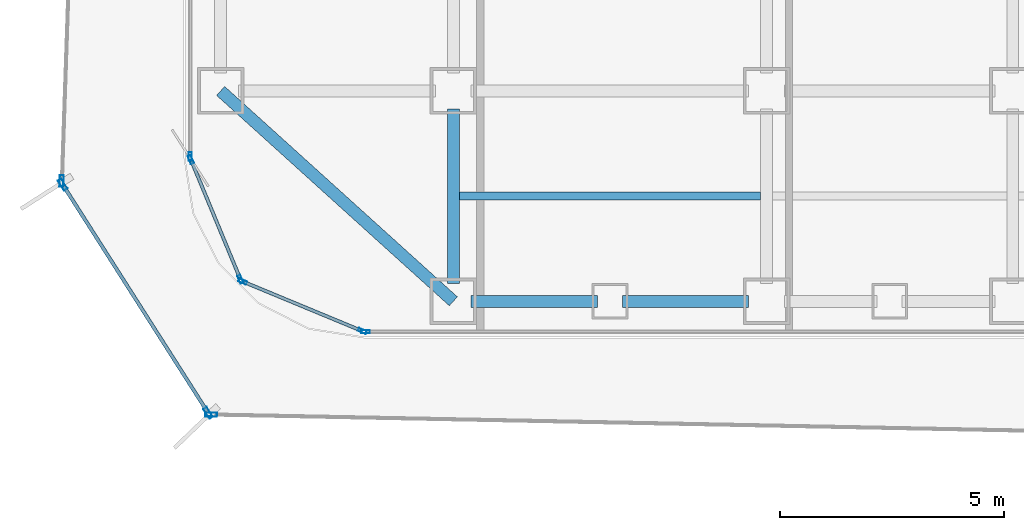
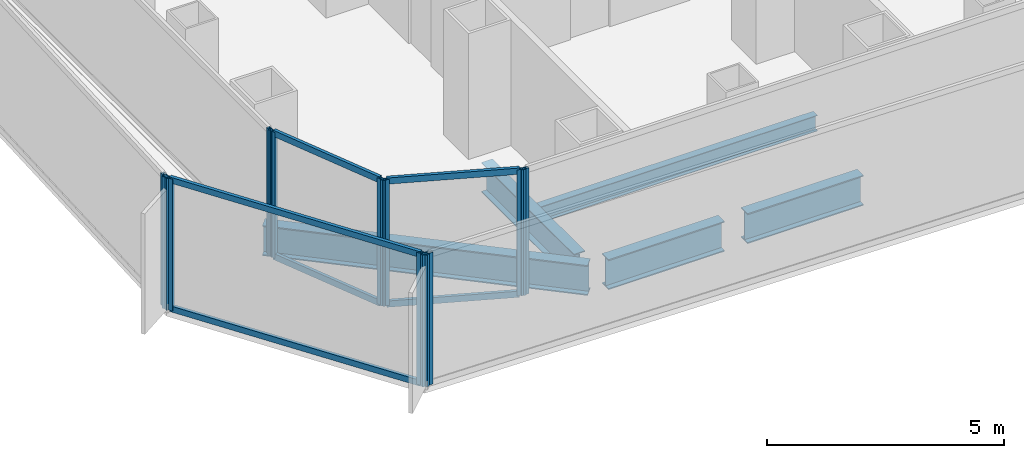
# One storey, part 2 of 22: 16 members, 5 beams, 7 elements without a shape of their own.
"""IFC4 building model written with IfcOpenShell, lengths in metres."""

from ifc_helpers import new_model, si_unit, direction, frame, origin, origin_2d, place, context, subcontext, project, spatial, hollow_rectangle, i_section, extrude, source, transform, mapped, material, layer, layer_set, material_profile, profile_set, type_object, element, aggregate, save


model = new_model("IFC4")

# Units and contexts
model_context = context("Model", 3, precision=1e-05, world=origin(), true_north=direction((0.0, 1.0)))
body_context = subcontext(model_context, "Body", "Model", "MODEL_VIEW")
ifc_project = project(units=[si_unit("LENGTHUNIT", "METRE"), si_unit("AREAUNIT", "SQUARE_METRE"), si_unit("VOLUMEUNIT", "CUBIC_METRE"), si_unit("PLANEANGLEUNIT", "RADIAN"), si_unit("MASSUNIT", "GRAM", prefix="KILO")], contexts=[model_context])

# Site, building, storey
site_placement = place(None, origin())
site = spatial("IfcSite", under=ifc_project, at=site_placement, CompositionType="ELEMENT")
building_placement = place(site_placement, origin())
building = spatial("IfcBuilding", under=site, at=building_placement, Name="Kolveth Station Tower", CompositionType="ELEMENT")
storey_placement = place(building_placement, frame((0.0, 0.0, 84.60009765625)))
storey = spatial("IfcBuildingStorey", under=building, at=storey_placement, Name="L22", CompositionType="ELEMENT", Elevation=84.60009765625)

# Beams
ifc_material_1 = material(Name="Steel S355", Category="steel")
ifc_material_profile_1 = material_profile(ifc_material_1, i_section(OverallWidth=0.26904296875, OverallDepth=0.77490234375, WebThickness=0.01708984375, FlangeThickness=0.0283203125, at=origin_2d()), Name="W760x220")
ifc_profile_set_1 = profile_set([ifc_material_profile_1], Name="Steel S355")
beam_type_1 = type_object("IfcBeamType", Name="Beam_SP1", PredefinedType="SPANDREL", material=ifc_profile_set_1)
shared_shape_1 = source(origin(), body_context, "Body", "SweptSolid", [
    extrude(i_section(OverallWidth=0.26904296875, OverallDepth=0.77490234375, WebThickness=0.01708984375, FlangeThickness=0.0283203125, at=origin_2d()), origin(), (0.0, 0.0, 1.0), 7.00927734375),
])
beam_1_placement = place(storey_placement, frame((0.800048828125, 5.5, -0.66748046875), z_axis=(0.741874009795, -0.670539300557, 0.0), x_axis=(0.670539300557, 0.741874009795, 0.0)))
element("IfcBeam", 1, at=beam_1_placement, inside=storey, type_object=beam_type_1, Name="L22 Corner Edge Girder BM-L22-CNR-SW", PredefinedType="SPANDREL", context=body_context, shape_type="MappedRepresentation", body=[
    mapped(shared_shape_1, transform((0.0, 0.0, 0.0), x_axis=(1.0, 0.0, 0.0), y_axis=(0.0, 1.0, 0.0), z_axis=(0.0, 0.0, 1.0), scale=1.0)),
])
shared_shape_2 = source(origin(), body_context, "Body", "SweptSolid", [
    extrude(i_section(OverallWidth=0.26904296875, OverallDepth=0.77490234375, WebThickness=0.01708984375, FlangeThickness=0.0283203125, at=origin_2d()), origin(), (0.0, 0.0, 1.0), 2.820068359375),
])
for number, where, z_axis, x_axis, name in (
    (2, (6.39990234375, 0.800048828125, -0.66748046875), (1.0, 0.0, 0.0), (0.0, 1.0, 0.0), "L22 Perimeter Spandrel BM-L22-PS-1"),
    (3, (9.780029296875, 0.800048828125, -0.66748046875), (1.0, 0.0, 0.0), (0.0, 1.0, 0.0), "L22 Perimeter Spandrel BM-L22-PS-2"),
):
    element("IfcBeam", number, at=place(storey_placement, frame(where, z_axis=z_axis, x_axis=x_axis)), inside=storey, type_object=beam_type_1, Name=name, PredefinedType="SPANDREL", context=body_context, shape_type="MappedRepresentation", body=[
        mapped(shared_shape_2, transform((0.0, 0.0, 0.0), x_axis=(1.0, 0.0, 0.0), y_axis=(0.0, 1.0, 0.0), z_axis=(0.0, 0.0, 1.0), scale=1.0)),
    ])
ifc_material_profile_2 = material_profile(ifc_material_1, i_section(OverallWidth=0.26708984375, OverallDepth=0.76611328125, WebThickness=0.014892578125, FlangeThickness=0.023681640625, at=origin_2d()), Name="W760x185")
ifc_profile_set_2 = profile_set([ifc_material_profile_2], Name="Steel S355")
beam_type_2 = type_object("IfcBeamType", Name="Beam_B3", PredefinedType="BEAM", material=ifc_profile_set_2)
shared_shape_3 = source(origin(), body_context, "Body", "SweptSolid", [
    extrude(i_section(OverallWidth=0.26708984375, OverallDepth=0.76611328125, WebThickness=0.014892578125, FlangeThickness=0.023681640625, at=origin_2d()), origin(), (0.0, 0.0, 1.0), 3.900146484375),
])
beam_2_placement = place(storey_placement, frame((6.0, 1.199951171875, -0.6630859375), z_axis=(0.0, 1.0, 0.0), x_axis=(-1.0, 0.0, 0.0)))
element("IfcBeam", 4, at=beam_2_placement, inside=storey, type_object=beam_type_2, Name="L22 Primary Girder BM-L22-GX60-1", PredefinedType="BEAM", context=body_context, shape_type="MappedRepresentation", body=[
    mapped(shared_shape_3, transform((0.0, 0.0, 0.0), x_axis=(1.0, 0.0, 0.0), y_axis=(0.0, 1.0, 0.0), z_axis=(0.0, 0.0, 1.0), scale=1.0)),
])
ifc_material_profile_3 = material_profile(ifc_material_1, i_section(OverallWidth=0.177978515625, OverallDepth=0.406982421875, WebThickness=0.0078125, FlangeThickness=0.0126953125, at=origin_2d()), Name="W410x60")
ifc_profile_set_3 = profile_set([ifc_material_profile_3], Name="Steel S355")
beam_type_3 = type_object("IfcBeamType", Name="Beam_J1", PredefinedType="JOIST", material=ifc_profile_set_3)
shared_shape_4 = source(origin(), body_context, "Body", "SweptSolid", [
    extrude(i_section(OverallWidth=0.177978515625, OverallDepth=0.406982421875, WebThickness=0.0078125, FlangeThickness=0.0126953125, at=origin_2d()), origin(), (0.0, 0.0, 1.0), 6.73681640625),
])
beam_3_placement = place(storey_placement, frame((6.131591796875, 3.14990234375, -0.483642578125), z_axis=(1.0, 0.0, 0.0), x_axis=(0.0, 1.0, 0.0)))
element("IfcBeam", 5, at=beam_3_placement, inside=storey, type_object=beam_type_3, Name="L22 Secondary Joist JST-L22-2-1", PredefinedType="JOIST", context=body_context, shape_type="MappedRepresentation", body=[
    mapped(shared_shape_4, transform((0.0, 0.0, 0.0), x_axis=(1.0, 0.0, 0.0), y_axis=(0.0, 1.0, 0.0), z_axis=(0.0, 0.0, 1.0), scale=1.0)),
])

# Curtain wall, members
ifc_material_2 = material(Name="Aluminium 6063-T6 and low-E dark glass", Category="aluminium")
ifc_layer_1 = layer(ifc_material_2, 0.179931640625)
ifc_layer_set_1 = layer_set([ifc_layer_1], Name="Aluminium 6063-T6 and low-E dark glass")
curtain_wall_type_1 = type_object("IfcCurtainWallType", Name="CurtainWall_CW-Z1", PredefinedType="NOTDEFINED", material=ifc_layer_set_1)
curtain_wall_1_placement = place(storey_placement, origin())
curtain_wall_1 = element("IfcCurtainWall", 6, at=curtain_wall_1_placement, inside=storey, type_object=curtain_wall_type_1, Name="L22 Inner Thermal Curtain Wall 10", PredefinedType="NOTDEFINED")
ifc_material_3 = material(Name="Black anodized aluminium 6063-T6", Category="aluminium")
ifc_material_profile_4 = material_profile(ifc_material_3, hollow_rectangle(XDim=0.074951171875, YDim=0.159912109375, WallThickness=0.0048828125, at=origin_2d()), Name="ALU-75x160x5")
ifc_profile_set_4 = profile_set([ifc_material_profile_4], Name="Black anodized aluminium 6063-T6")
member_type_1 = type_object("IfcMemberType", Name="Transom_TR1", PredefinedType="USERDEFINED", material=ifc_profile_set_4)
shared_shape_5 = source(origin(), body_context, "Body", "SweptSolid", [
    extrude(hollow_rectangle(XDim=0.074951171875, YDim=0.159912109375, WallThickness=0.0048828125, at=origin_2d()), origin(), (0.0, 0.0, 1.0), 2.819580078125),
])
member_1_placement = place(storey_placement, frame((0.148681640625, 3.9306640625, 0.037353515625), z_axis=(0.382708655389, -0.923869084389, 0.0), x_axis=(0.923869084389, 0.382708655389, 0.0)))
member_1 = element("IfcMember", 7, at=member_1_placement, type_object=member_type_1, Name="CW-Z1 transom 1.1", ObjectType="TRANSOM", PredefinedType="USERDEFINED", context=body_context, shape_type="MappedRepresentation", body=[
    mapped(shared_shape_5, transform((0.0, 0.0, 0.0), x_axis=(1.0, 0.0, 0.0), y_axis=(0.0, 1.0, 0.0), z_axis=(0.0, 0.0, 1.0), scale=1.0)),
])
member_2_placement = place(storey_placement, frame((0.148681640625, 3.9306640625, 3.202392578125), z_axis=(0.382708655389, -0.923869084389, 0.0), x_axis=(0.923869084389, 0.382708655389, 0.0)))
member_2 = element("IfcMember", 8, at=member_2_placement, type_object=member_type_1, Name="CW-Z1 transom 1.2", ObjectType="TRANSOM", PredefinedType="USERDEFINED", context=body_context, shape_type="MappedRepresentation", body=[
    mapped(shared_shape_5, transform((0.0, 0.0, 0.0), x_axis=(1.0, 0.0, 0.0), y_axis=(0.0, 1.0, 0.0), z_axis=(0.0, 0.0, 1.0), scale=1.0)),
])

curtain_wall_2_placement = place(storey_placement, origin())
curtain_wall_2 = element("IfcCurtainWall", 9, at=curtain_wall_2_placement, inside=storey, type_object=curtain_wall_type_1, Name="L22 Inner Thermal Curtain Wall 11", PredefinedType="NOTDEFINED")
member_3_placement = place(storey_placement, frame((1.32568359375, 1.227783203125, 0.037353515625), z_axis=(0.923869084389, -0.382708655389, 0.0), x_axis=(0.382708655389, 0.923869084389, 0.0)))
member_3 = element("IfcMember", 10, at=member_3_placement, type_object=member_type_1, Name="CW-Z1 transom 1.1", ObjectType="TRANSOM", PredefinedType="USERDEFINED", context=body_context, shape_type="MappedRepresentation", body=[
    mapped(shared_shape_5, transform((0.0, 0.0, 0.0), x_axis=(1.0, 0.0, 0.0), y_axis=(0.0, 1.0, 0.0), z_axis=(0.0, 0.0, 1.0), scale=1.0)),
])
member_4_placement = place(storey_placement, frame((1.32568359375, 1.227783203125, 3.202392578125), z_axis=(0.923869084389, -0.382708655389, 0.0), x_axis=(0.382708655389, 0.923869084389, 0.0)))
member_4 = element("IfcMember", 11, at=member_4_placement, type_object=member_type_1, Name="CW-Z1 transom 1.2", ObjectType="TRANSOM", PredefinedType="USERDEFINED", context=body_context, shape_type="MappedRepresentation", body=[
    mapped(shared_shape_5, transform((0.0, 0.0, 0.0), x_axis=(1.0, 0.0, 0.0), y_axis=(0.0, 1.0, 0.0), z_axis=(0.0, 0.0, 1.0), scale=1.0)),
])

# Curtain wall, member
ifc_material_4 = material(Name="Black anodized aluminium 6063-T6 and dark solar glass", Category="aluminium")
ifc_layer_2 = layer(ifc_material_4, 0.159912109375)
ifc_layer_set_2 = layer_set([ifc_layer_2], Name="Black anodized aluminium 6063-T6 and dark solar glass")
curtain_wall_type_2 = type_object("IfcCurtainWallType", Name="OUTER SKIN CW-OS", PredefinedType="NOTDEFINED", material=ifc_layer_set_2)
curtain_wall_3_placement = place(storey_placement, origin())
curtain_wall_3 = element("IfcCurtainWall", 12, at=curtain_wall_3_placement, inside=storey, type_object=curtain_wall_type_2, Name="L22 Outer Ventilated Skin Curtain Wall 6", PredefinedType="NOTDEFINED")
ifc_material_profile_5 = material_profile(ifc_material_3, hollow_rectangle(XDim=0.090087890625, YDim=0.260009765625, WallThickness=0.0048828125, at=origin_2d()), Name="ALU-90x260x5")
ifc_profile_set_5 = profile_set([ifc_material_profile_5], Name="Black anodized aluminium 6063-T6")
member_type_2 = type_object("IfcMemberType", Name="FIN MULLION ML-OS", PredefinedType="MULLION", material=ifc_profile_set_5)
shared_shape_6 = source(origin(), body_context, "Body", "SweptSolid", [
    extrude(hollow_rectangle(XDim=0.090087890625, YDim=0.260009765625, WallThickness=0.0048828125, at=origin_2d()), origin(), (0.0, 0.0, 1.0), 3.389892578125),
])
member_5_placement = place(storey_placement, frame((-2.752685546875, 3.48974609375, 0.0), z_axis=(0.0, 0.0, 1.0), x_axis=(0.999417411257, -0.034129724221, 0.0)))
member_5 = element("IfcMember", 13, at=member_5_placement, type_object=member_type_2, Name="CW-OS mullion 2", PredefinedType="MULLION", context=body_context, shape_type="MappedRepresentation", body=[
    mapped(shared_shape_6, transform((0.0, 0.0, 0.0), x_axis=(1.0, 0.0, 0.0), y_axis=(0.0, 1.0, 0.0), z_axis=(0.0, 0.0, 1.0), scale=1.0)),
])
aggregate(curtain_wall_3, [member_5])

# Curtain wall, members
curtain_wall_4_placement = place(storey_placement, origin())
curtain_wall_4 = element("IfcCurtainWall", 14, at=curtain_wall_4_placement, inside=storey, type_object=curtain_wall_type_2, Name="L22 Outer Ventilated Skin Curtain Wall 7", PredefinedType="NOTDEFINED")
member_6_placement = place(storey_placement, frame((-2.72998046875, 3.40673828125, 0.0), z_axis=(0.0, 0.0, 1.0), x_axis=(0.843416608201, 0.537260109268, 0.0)))
member_6 = element("IfcMember", 15, at=member_6_placement, type_object=member_type_2, Name="CW-OS mullion 1", PredefinedType="MULLION", context=body_context, shape_type="MappedRepresentation", body=[
    mapped(shared_shape_6, transform((0.0, 0.0, 0.0), x_axis=(1.0, 0.0, 0.0), y_axis=(0.0, 1.0, 0.0), z_axis=(0.0, 0.0, 1.0), scale=1.0)),
])
member_7_placement = place(storey_placement, frame((0.520263671875, -1.695556640625, 0.0), z_axis=(0.0, 0.0, 1.0), x_axis=(0.843416608201, 0.537260109268, 0.0)))
member_7 = element("IfcMember", 16, at=member_7_placement, type_object=member_type_2, Name="CW-OS mullion 2", PredefinedType="MULLION", context=body_context, shape_type="MappedRepresentation", body=[
    mapped(shared_shape_6, transform((0.0, 0.0, 0.0), x_axis=(1.0, 0.0, 0.0), y_axis=(0.0, 1.0, 0.0), z_axis=(0.0, 0.0, 1.0), scale=1.0)),
])

# Curtain wall, member
curtain_wall_5_placement = place(storey_placement, origin())
curtain_wall_5 = element("IfcCurtainWall", 17, at=curtain_wall_5_placement, inside=storey, type_object=curtain_wall_type_2, Name="L22 Outer Ventilated Skin Curtain Wall 8", PredefinedType="NOTDEFINED")
member_8_placement = place(storey_placement, frame((0.58935546875, -1.734375, 0.0), z_axis=(0.0, 0.0, 1.0), x_axis=(0.019773687894, 0.99980448152, 0.0)))
member_8 = element("IfcMember", 18, at=member_8_placement, type_object=member_type_2, Name="CW-OS mullion 1", PredefinedType="MULLION", context=body_context, shape_type="MappedRepresentation", body=[
    mapped(shared_shape_6, transform((0.0, 0.0, 0.0), x_axis=(1.0, 0.0, 0.0), y_axis=(0.0, 1.0, 0.0), z_axis=(0.0, 0.0, 1.0), scale=1.0)),
])
aggregate(curtain_wall_5, [member_8])

curtain_wall_6_placement = place(storey_placement, origin())
curtain_wall_6 = element("IfcCurtainWall", 19, at=curtain_wall_6_placement, inside=storey, type_object=curtain_wall_type_1, Name="L22 Inner Thermal Curtain Wall 9", PredefinedType="NOTDEFINED")
ifc_material_profile_6 = material_profile(ifc_material_3, hollow_rectangle(XDim=0.074951171875, YDim=0.18994140625, WallThickness=0.0048828125, at=origin_2d()), Name="ALU-75x190x5")
ifc_profile_set_6 = profile_set([ifc_material_profile_6], Name="Black anodized aluminium 6063-T6")
member_type_3 = type_object("IfcMemberType", Name="Mullion_ML1", PredefinedType="MULLION", material=ifc_profile_set_6)
shared_shape_7 = source(origin(), body_context, "Body", "SweptSolid", [
    extrude(hollow_rectangle(XDim=0.074951171875, YDim=0.18994140625, WallThickness=0.0048828125, at=origin_2d()), origin(), (0.0, 0.0, 1.0), 3.239990234375),
])
member_9_placement = place(storey_placement, frame((0.1201171875, 4.03759765625, 0.0), z_axis=(0.0, 0.0, 1.0), x_axis=(1.0, 0.0, 0.0)))
member_9 = element("IfcMember", 20, at=member_9_placement, type_object=member_type_3, Name="CW-Z1 mullion 2", PredefinedType="MULLION", context=body_context, shape_type="MappedRepresentation", body=[
    mapped(shared_shape_7, transform((0.0, 0.0, 0.0), x_axis=(1.0, 0.0, 0.0), y_axis=(0.0, 1.0, 0.0), z_axis=(0.0, 0.0, 1.0), scale=1.0)),
])
aggregate(curtain_wall_6, [member_9])

# Member
member_10_placement = place(storey_placement, frame((0.13427734375, 3.96533203125, 0.0), z_axis=(0.0, 0.0, 1.0), x_axis=(0.923883857728, 0.382672990201, 0.0)))
member_10 = element("IfcMember", 21, at=member_10_placement, type_object=member_type_3, Name="CW-Z1 mullion 1", PredefinedType="MULLION", context=body_context, shape_type="MappedRepresentation", body=[
    mapped(shared_shape_7, transform((0.0, 0.0, 0.0), x_axis=(1.0, 0.0, 0.0), y_axis=(0.0, 1.0, 0.0), z_axis=(0.0, 0.0, 1.0), scale=1.0)),
])

member_11_placement = place(storey_placement, frame((1.241943359375, 1.291015625, 0.0), z_axis=(0.0, 0.0, 1.0), x_axis=(0.923883857728, 0.382672990201, 0.0)))
member_11 = element("IfcMember", 22, at=member_11_placement, type_object=member_type_3, Name="CW-Z1 mullion 2", PredefinedType="MULLION", context=body_context, shape_type="MappedRepresentation", body=[
    mapped(shared_shape_7, transform((0.0, 0.0, 0.0), x_axis=(1.0, 0.0, 0.0), y_axis=(0.0, 1.0, 0.0), z_axis=(0.0, 0.0, 1.0), scale=1.0)),
])

aggregate(curtain_wall_1, [member_10, member_11, member_1, member_2])

member_12_placement = place(storey_placement, frame((1.291015625, 1.241943359375, 0.0), z_axis=(0.0, 0.0, 1.0), x_axis=(0.382672990201, 0.923883857728, 0.0)))
member_12 = element("IfcMember", 23, at=member_12_placement, type_object=member_type_3, Name="CW-Z1 mullion 1", PredefinedType="MULLION", context=body_context, shape_type="MappedRepresentation", body=[
    mapped(shared_shape_7, transform((0.0, 0.0, 0.0), x_axis=(1.0, 0.0, 0.0), y_axis=(0.0, 1.0, 0.0), z_axis=(0.0, 0.0, 1.0), scale=1.0)),
])

member_13_placement = place(storey_placement, frame((3.96533203125, 0.13427734375, 0.0), z_axis=(0.0, 0.0, 1.0), x_axis=(0.382672990201, 0.923883857728, 0.0)))
member_13 = element("IfcMember", 24, at=member_13_placement, type_object=member_type_3, Name="CW-Z1 mullion 2", PredefinedType="MULLION", context=body_context, shape_type="MappedRepresentation", body=[
    mapped(shared_shape_7, transform((0.0, 0.0, 0.0), x_axis=(1.0, 0.0, 0.0), y_axis=(0.0, 1.0, 0.0), z_axis=(0.0, 0.0, 1.0), scale=1.0)),
])

aggregate(curtain_wall_2, [member_12, member_13, member_3, member_4])

# Curtain wall, member
curtain_wall_7_placement = place(storey_placement, origin())
curtain_wall_7 = element("IfcCurtainWall", 25, at=curtain_wall_7_placement, inside=storey, type_object=curtain_wall_type_1, Name="L22 Inner Thermal Curtain Wall 12", PredefinedType="NOTDEFINED")
member_14_placement = place(storey_placement, frame((4.03759765625, 0.1201171875, 0.0), z_axis=(0.0, 0.0, 1.0), x_axis=(0.0, 1.0, 0.0)))
member_14 = element("IfcMember", 26, at=member_14_placement, type_object=member_type_3, Name="CW-Z1 mullion 1", PredefinedType="MULLION", context=body_context, shape_type="MappedRepresentation", body=[
    mapped(shared_shape_7, transform((0.0, 0.0, 0.0), x_axis=(1.0, 0.0, 0.0), y_axis=(0.0, 1.0, 0.0), z_axis=(0.0, 0.0, 1.0), scale=1.0)),
])
aggregate(curtain_wall_7, [member_14])

# Member
ifc_material_profile_7 = material_profile(ifc_material_3, hollow_rectangle(XDim=0.080078125, YDim=0.14990234375, WallThickness=0.0048828125, at=origin_2d()), Name="ALU-80x150x5")
ifc_profile_set_7 = profile_set([ifc_material_profile_7], Name="Black anodized aluminium 6063-T6")
member_type_4 = type_object("IfcMemberType", Name="Transom_TR-OS", PredefinedType="USERDEFINED", material=ifc_profile_set_7)
shared_shape_8 = source(origin(), body_context, "Body", "SweptSolid", [
    extrude(hollow_rectangle(XDim=0.080078125, YDim=0.14990234375, WallThickness=0.0048828125, at=origin_2d()), origin(), (0.0, 0.0, 1.0), 5.959716796875),
])
member_15_placement = place(storey_placement, frame((-2.705810546875, 3.368896484375, 0.039794921875), z_axis=(0.537251831919, -0.843421880852, 0.0), x_axis=(0.843421880852, 0.537251831919, 0.0)))
member_15 = element("IfcMember", 27, at=member_15_placement, type_object=member_type_4, Name="CW-OS transom 1.1", ObjectType="TRANSOM", PredefinedType="USERDEFINED", context=body_context, shape_type="MappedRepresentation", body=[
    mapped(shared_shape_8, transform((0.0, 0.0, 0.0), x_axis=(1.0, 0.0, 0.0), y_axis=(0.0, 1.0, 0.0), z_axis=(0.0, 0.0, 1.0), scale=1.0)),
])

member_16_placement = place(storey_placement, frame((-2.705810546875, 3.368896484375, 3.349853515625), z_axis=(0.537251831919, -0.843421880852, 0.0), x_axis=(0.843421880852, 0.537251831919, 0.0)))
member_16 = element("IfcMember", 28, at=member_16_placement, type_object=member_type_4, Name="CW-OS transom 1.2", ObjectType="TRANSOM", PredefinedType="USERDEFINED", context=body_context, shape_type="MappedRepresentation", body=[
    mapped(shared_shape_8, transform((0.0, 0.0, 0.0), x_axis=(1.0, 0.0, 0.0), y_axis=(0.0, 1.0, 0.0), z_axis=(0.0, 0.0, 1.0), scale=1.0)),
])

aggregate(curtain_wall_4, [member_6, member_7, member_15, member_16])

save(model, "model.ifc")
